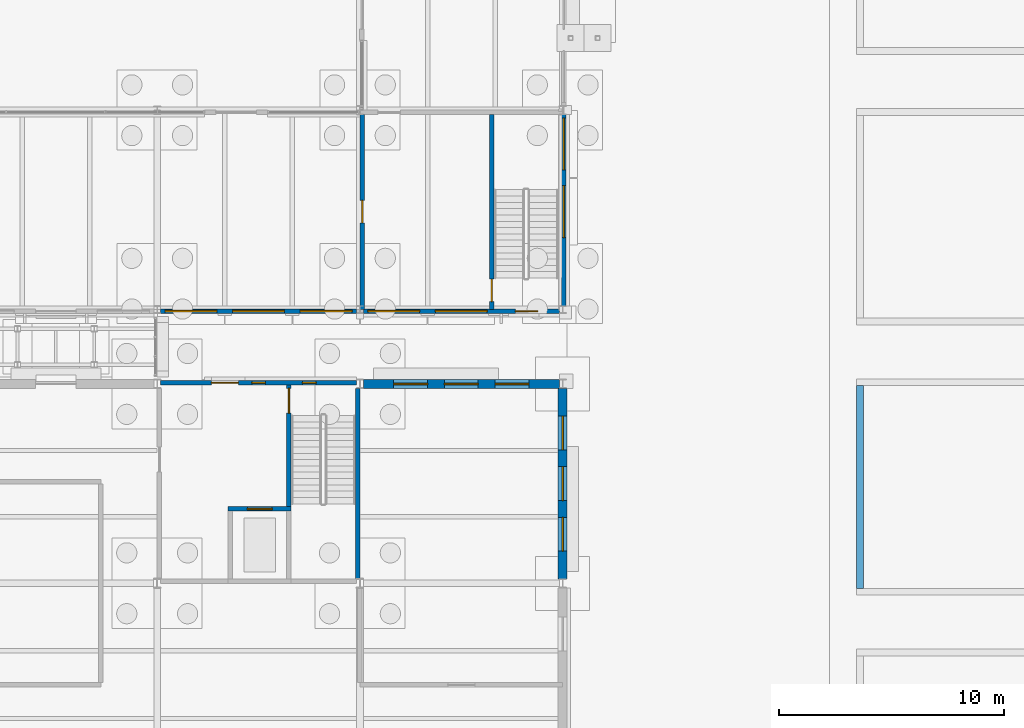
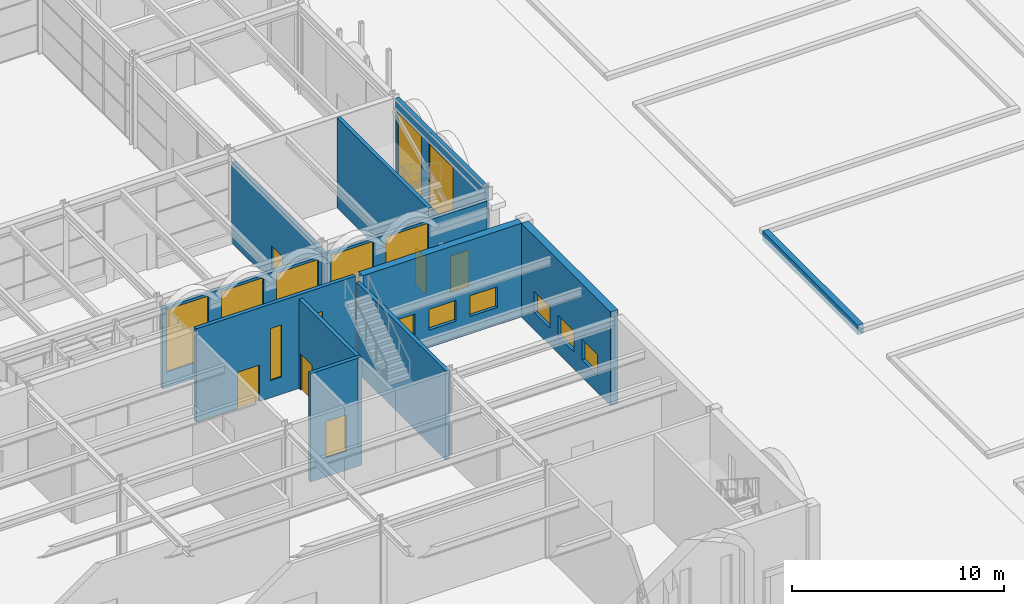
# One storey, part 72 of 126: 15 windows, 12 walls, 6 doors, 21 openings.
"""IFC4 building model written with IfcOpenShell, lengths in metres."""

from ifc_helpers import new_model, si_unit, direction, frame, frame_2d, origin, place, context, subcontext, project, spatial, rectangle, extrude, material, layer, layer_set, type_object, element, fill, save


model = new_model("IFC4")

# Units and contexts
model_context = context("Model", 3, precision=1e-05, world=origin(), true_north=direction((0.0, 1.0)))
body_context = subcontext(model_context, "Body", "Model", "MODEL_VIEW")
ifc_project = project(units=[si_unit("LENGTHUNIT", "METRE"), si_unit("AREAUNIT", "SQUARE_METRE"), si_unit("VOLUMEUNIT", "CUBIC_METRE"), si_unit("PLANEANGLEUNIT", "RADIAN"), si_unit("MASSUNIT", "GRAM", prefix="KILO")], contexts=[model_context])

# Site, building, storey
site_placement = place(None, origin())
site = spatial("IfcSite", under=ifc_project, at=site_placement, CompositionType="ELEMENT")
building_placement = place(site_placement, origin())
building = spatial("IfcBuilding", under=site, at=building_placement, Name="Kallimachos Central Library", CompositionType="ELEMENT")
storey_placement = place(building_placement, origin())
storey = spatial("IfcBuildingStorey", under=building, at=storey_placement, Name="L00", CompositionType="ELEMENT", Elevation=0.0)

# Wall
ifc_material_1 = material(Name="Concrete C30/37", Category="concrete")
ifc_layer_1 = layer(ifc_material_1, 0.199951171875)
ifc_layer_set_1 = layer_set([ifc_layer_1], Name="Core wall 200")
wall_type_1 = type_object("IfcWallType", Name="Core wall 200", PredefinedType="SOLIDWALL", material=ifc_layer_set_1)
wall_1_placement = place(storey_placement, frame((101.39990234375, 36.216064453125, 0.0), z_axis=(0.0, 0.0, 1.0), x_axis=(0.0, 1.0, 0.0)))
element("IfcWall", 1, at=wall_1_placement, inside=storey, type_object=wall_type_1, Name="V5-WAL-L00-035", PredefinedType="SOLIDWALL", context=body_context, shape_type="SweptSolid", body=[
    extrude(rectangle(XDim=8.433837890625, YDim=0.199951171875, at=frame_2d((4.216796875, 0.0))), origin(), (0.0, 0.0, 1.0), 5.14990234375),
])

# Wall, opening, door
wall_2_placement = place(storey_placement, frame((98.35009765625, 39.199951171875, 0.0), z_axis=(0.0, 0.0, 1.0), x_axis=(0.0, 1.0, 0.0)))
wall_2 = element("IfcWall", 2, at=wall_2_placement, inside=storey, type_object=wall_type_1, Name="V5-WAL-L00-036", PredefinedType="SOLIDWALL", context=body_context, shape_type="SweptSolid", body=[
    extrude(rectangle(XDim=5.60009765625, YDim=0.199951171875, at=frame_2d((2.800048828125, 0.0))), origin(), (0.0, 0.0, 1.0), 5.14990234375),
])
opening_1_placement = place(wall_2_placement, frame((4.35009765625, 0.0, 0.0)))
opening_1 = element("IfcOpeningElement", 3, at=opening_1_placement, cuts=wall_2, Name="Opening D84", PredefinedType="OPENING", context=body_context, shape_type="SweptSolid", body=[
    extrude(rectangle(XDim=1.10009765625, YDim=2.10009765625, at=frame_2d((0.550048828125, 1.050048828125))), frame((0.0, 0.10986328125, 0.0), z_axis=(0.0, -1.0, 0.0), x_axis=(1.0, 0.0, 0.0)), (0.0, 0.0, 1.0), 0.219970703125),
])
ifc_material_2 = material(Name="Steel fire door", Category="steel")
door_type_1 = type_object("IfcDoorType", Name="Fire door EI2 90 1100 x 2100", OperationType="NOTDEFINED", PredefinedType="DOOR", material=ifc_material_2)
door_1_placement = place(opening_1_placement, frame((1.10009765625, 0.0, 0.0), z_axis=(0.0, 0.0, 1.0), x_axis=(-1.0, 0.0, 0.0)))
door_1 = element("IfcDoor", 4, at=door_1_placement, inside=storey, type_object=door_type_1, Name="ST14 stair door L00", OperationType="SINGLE_SWING_RIGHT", OverallHeight=2.10009765625, OverallWidth=1.10009765625, PredefinedType="DOOR", context=body_context, shape_type="SweptSolid", body=[
    extrude(rectangle(XDim=1.10009765625, YDim=2.10009765625, at=frame_2d((0.550048828125, 1.050048828125))), frame((0.0, 0.02490234375, 0.0), z_axis=(0.0, -1.0, 0.0), x_axis=(1.0, 0.0, 0.0)), (0.0, 0.0, 1.0), 0.050048828125),
])
fill(opening_1, door_1)

# Wall
ifc_material_3 = material(Name="Granite kerb stone", Category="masonry")
ifc_layer_2 = layer(ifc_material_3, 0.300048828125)
ifc_layer_set_2 = layer_set([ifc_layer_2], Name="Granite kerb 300")
wall_type_2 = type_object("IfcWallType", Name="Granite kerb 300", PredefinedType="SOLIDWALL", material=ifc_layer_set_2)
wall_3_placement = place(storey_placement, frame((123.699951171875, 35.77490234375, -0.300048828125), z_axis=(0.0, 0.0, 1.0), x_axis=(0.0, 1.0, 0.0)))
element("IfcWall", 5, at=wall_3_placement, inside=storey, type_object=wall_type_2, Name="Garden bed kerb west 122-34", PredefinedType="SOLIDWALL", context=body_context, shape_type="SweptSolid", body=[
    extrude(rectangle(XDim=9.0, YDim=0.300048828125, at=frame_2d((4.5, 0.0))), origin(), (0.0, 0.0, 1.0), 0.550048828125),
])

# Wall, opening, door
ifc_material_4 = material(Name="Concrete C30/37", Category="concrete")
ifc_layer_3 = layer(ifc_material_4, 0.199951171875)
ifc_layer_set_3 = layer_set([ifc_layer_3], Name="Lift shaft wall 200")
wall_type_3 = type_object("IfcWallType", Name="Lift shaft wall 200", PredefinedType="SOLIDWALL", material=ifc_layer_set_3)
wall_4_placement = place(storey_placement, frame((95.64990234375, 39.300048828125, -1.10009765625), z_axis=(0.0, 0.0, 1.0), x_axis=(1.0, 0.0, 0.0)))
wall_4 = element("IfcWall", 6, at=wall_4_placement, inside=storey, type_object=wall_type_3, Name="V5-WAL-L00-007", PredefinedType="SOLIDWALL", context=body_context, shape_type="SweptSolid", body=[
    extrude(rectangle(XDim=2.800048828125, YDim=0.199951171875, at=frame_2d((1.39990234375, 0.0))), origin(), (0.0, 0.0, 1.0), 6.25),
])
opening_2_placement = place(wall_4_placement, frame((0.85009765625, 0.0, 1.10009765625)))
opening_2 = element("IfcOpeningElement", 7, at=opening_2_placement, cuts=wall_4, Name="Opening LD1100", PredefinedType="OPENING", context=body_context, shape_type="SweptSolid", body=[
    extrude(rectangle(XDim=1.10009765625, YDim=2.10009765625, at=frame_2d((0.550048828125, 1.050048828125))), frame((0.0, 0.10986328125, 0.0), z_axis=(0.0, -1.0, 0.0), x_axis=(1.0, 0.0, 0.0)), (0.0, 0.0, 1.0), 0.219970703125),
])
ifc_material_5 = material(Name="Stainless steel", Category="steel")
door_type_2 = type_object("IfcDoorType", Name="Lift landing door 1100 x 2100", OperationType="SLIDING_TO_LEFT", PredefinedType="DOOR", material=ifc_material_5)
door_2_placement = place(opening_2_placement, origin())
door_2 = element("IfcDoor", 8, at=door_2_placement, inside=storey, type_object=door_type_2, Name="LF13 landing door L00", OperationType="SLIDING_TO_LEFT", OverallHeight=2.10009765625, OverallWidth=1.10009765625, PredefinedType="DOOR", context=body_context, shape_type="SweptSolid", body=[
    extrude(rectangle(XDim=1.10009765625, YDim=2.10009765625, at=frame_2d((0.550048828125, 1.050048828125))), frame((0.0, 0.02490234375, 0.0), z_axis=(0.0, -1.0, 0.0), x_axis=(1.0, 0.0, 0.0)), (0.0, 0.0, 1.0), 0.050048828125),
])
fill(opening_2, door_2)

ifc_material_6 = material(Name="Concrete C35/45", Category="concrete")
ifc_layer_4 = layer(ifc_material_6, 0.199951171875)
ifc_layer_set_4 = layer_set([ifc_layer_4], Name="Shear core wall 200, internal")
wall_type_4 = type_object("IfcWallType", Name="Shear core wall 200, internal", PredefinedType="SHEAR", material=ifc_layer_set_4)
wall_5_placement = place(storey_placement, frame((101.60009765625, 48.14990234375, 0.0), z_axis=(0.0, 0.0, 1.0), x_axis=(0.0, 1.0, 0.0)))
wall_5 = element("IfcWall", 9, at=wall_5_placement, inside=storey, type_object=wall_type_4, Name="L00 core wall V4-SE E", PredefinedType="SHEAR", context=body_context, shape_type="SweptSolid", body=[
    extrude(rectangle(XDim=8.650146484375, YDim=0.199951171875, at=frame_2d((4.3251953125, 0.0))), origin(), (0.0, 0.0, 1.0), 4.64990234375),
])
opening_3_placement = place(wall_5_placement, frame((3.85009765625, 0.0, 0.0)))
opening_3 = element("IfcOpeningElement", 10, at=opening_3_placement, cuts=wall_5, Name="Opening D179", PredefinedType="OPENING", context=body_context, shape_type="SweptSolid", body=[
    extrude(rectangle(XDim=1.0, YDim=2.10009765625, at=frame_2d((0.5, 1.050048828125))), frame((0.0, 0.10986328125, 0.0), z_axis=(0.0, -1.0, 0.0), x_axis=(1.0, 0.0, 0.0)), (0.0, 0.0, 1.0), 0.219970703125),
])
ifc_material_7 = material(Name="Timber", Category="wood")
door_type_3 = type_object("IfcDoorType", Name="Single leaf door 1000 x 2100, EI2 90", OperationType="NOTDEFINED", PredefinedType="DOOR", material=ifc_material_7)
door_3_placement = place(opening_3_placement, frame((1.0, 0.0, 0.0), z_axis=(0.0, 0.0, 1.0), x_axis=(-1.0, 0.0, 0.0)))
door_3 = element("IfcDoor", 11, at=door_3_placement, inside=storey, type_object=door_type_3, Name="L00 core door V4-SE", OperationType="SINGLE_SWING_LEFT", OverallHeight=2.10009765625, OverallWidth=1.0, PredefinedType="DOOR", context=body_context, shape_type="SweptSolid", body=[
    extrude(rectangle(XDim=1.0, YDim=2.10009765625, at=frame_2d((0.5, 1.050048828125))), frame((0.0, 0.02490234375, 0.0), z_axis=(0.0, -1.0, 0.0), x_axis=(1.0, 0.0, 0.0)), (0.0, 0.0, 1.0), 0.050048828125),
])
fill(opening_3, door_3)

wall_6_placement = place(storey_placement, frame((107.35009765625, 48.14990234375, 0.0), z_axis=(0.0, 0.0, 1.0), x_axis=(0.0, 1.0, 0.0)))
wall_6 = element("IfcWall", 12, at=wall_6_placement, inside=storey, type_object=wall_type_4, Name="L00 core wall V4-SE M", PredefinedType="SHEAR", context=body_context, shape_type="SweptSolid", body=[
    extrude(rectangle(XDim=8.650146484375, YDim=0.199951171875, at=frame_2d((4.3251953125, 0.0))), origin(), (0.0, 0.0, 1.0), 5.199951171875),
])
opening_4_placement = place(wall_6_placement, frame((0.35009765625, 0.0, 0.0)))
opening_4 = element("IfcOpeningElement", 13, at=opening_4_placement, cuts=wall_6, Name="Opening D181", PredefinedType="OPENING", context=body_context, shape_type="SweptSolid", body=[
    extrude(rectangle(XDim=1.0, YDim=2.10009765625, at=frame_2d((0.5, 1.050048828125))), frame((0.0, 0.10986328125, 0.0), z_axis=(0.0, -1.0, 0.0), x_axis=(1.0, 0.0, 0.0)), (0.0, 0.0, 1.0), 0.219970703125),
])
door_4_placement = place(opening_4_placement, frame((1.0, 0.0, 0.0), z_axis=(0.0, 0.0, 1.0), x_axis=(-1.0, 0.0, 0.0)))
door_4 = element("IfcDoor", 14, at=door_4_placement, inside=storey, type_object=door_type_3, Name="L00 core door V4-SE", OperationType="SINGLE_SWING_LEFT", OverallHeight=2.10009765625, OverallWidth=1.0, PredefinedType="DOOR", context=body_context, shape_type="SweptSolid", body=[
    extrude(rectangle(XDim=1.0, YDim=2.10009765625, at=frame_2d((0.5, 1.050048828125))), frame((0.0, 0.02490234375, 0.0), z_axis=(0.0, -1.0, 0.0), x_axis=(1.0, 0.0, 0.0)), (0.0, 0.0, 1.0), 0.050048828125),
])
fill(opening_4, door_4)

# Wall, openings, windows
ifc_material_8 = material(Name="Pentelic marble masonry", Category="masonry")
ifc_layer_5 = layer(ifc_material_8, 0.39990234375)
ifc_layer_set_5 = layer_set([ifc_layer_5], Name="Stone masonry wall 400")
wall_type_5 = type_object("IfcWallType", Name="Stone masonry wall 400", PredefinedType="SOLIDWALL", material=ifc_layer_set_5)
wall_7_placement = place(storey_placement, frame((101.64990234375, 44.85009765625, 0.0), z_axis=(0.0, 0.0, 1.0), x_axis=(1.0, 0.0, 0.0)))
wall_7 = element("IfcWall", 15, at=wall_7_placement, inside=storey, type_object=wall_type_5, Name="V5-WAL-L00-019", PredefinedType="SOLIDWALL", context=body_context, shape_type="SweptSolid", body=[
    extrude(rectangle(XDim=8.7001953125, YDim=0.39990234375, at=frame_2d((4.35009765625, 0.0))), origin(), (0.0, 0.0, 1.0), 5.39990234375),
])
opening_5_placement = place(wall_7_placement, frame((1.35009765625, 0.0, 1.0)))
opening_5 = element("IfcOpeningElement", 16, at=opening_5_placement, cuts=wall_7, Name="Opening WN19", PredefinedType="OPENING", context=body_context, shape_type="SweptSolid", body=[
    extrude(rectangle(XDim=1.5, YDim=1.199951171875, at=frame_2d((0.75, 0.60009765625))), frame((0.0, 0.2099609375, 0.0), z_axis=(0.0, -1.0, 0.0), x_axis=(1.0, 0.0, 0.0)), (0.0, 0.0, 1.0), 0.419921875),
])
opening_6_placement = place(wall_7_placement, frame((3.60009765625, 0.0, 1.0)))
opening_6 = element("IfcOpeningElement", 17, at=opening_6_placement, cuts=wall_7, Name="Opening WN20", PredefinedType="OPENING", context=body_context, shape_type="SweptSolid", body=[
    extrude(rectangle(XDim=1.5, YDim=1.199951171875, at=frame_2d((0.75, 0.60009765625))), frame((0.0, 0.2099609375, 0.0), z_axis=(0.0, -1.0, 0.0), x_axis=(1.0, 0.0, 0.0)), (0.0, 0.0, 1.0), 0.419921875),
])
opening_7_placement = place(wall_7_placement, frame((5.85009765625, 0.0, 1.0)))
opening_7 = element("IfcOpeningElement", 18, at=opening_7_placement, cuts=wall_7, Name="Opening WN21", PredefinedType="OPENING", context=body_context, shape_type="SweptSolid", body=[
    extrude(rectangle(XDim=1.5, YDim=1.199951171875, at=frame_2d((0.75, 0.60009765625))), frame((0.0, 0.2099609375, 0.0), z_axis=(0.0, -1.0, 0.0), x_axis=(1.0, 0.0, 0.0)), (0.0, 0.0, 1.0), 0.419921875),
])
ifc_material_9 = material(Name="Anodised aluminium louvre", Category="aluminium")
window_type_1 = type_object("IfcWindowType", Name="Plant louvre 1500 x 1200", PartitioningType="SINGLE_PANEL", PredefinedType="WINDOW", material=ifc_material_9)
window_1_placement = place(opening_5_placement, origin())
window_1 = element("IfcWindow", 19, at=window_1_placement, inside=storey, type_object=window_type_1, Name="V5-WIN-L00-012", OverallHeight=1.199951171875, OverallWidth=1.5, PartitioningType="SINGLE_PANEL", PredefinedType="WINDOW", context=body_context, shape_type="SweptSolid", body=[
    extrude(rectangle(XDim=1.5, YDim=1.199951171875, at=frame_2d((0.75, 0.60009765625))), frame((0.0, 0.030029296875, 0.0), z_axis=(0.0, -1.0, 0.0), x_axis=(1.0, 0.0, 0.0)), (0.0, 0.0, 1.0), 0.06005859375),
])
fill(opening_5, window_1)
window_2_placement = place(opening_6_placement, origin())
window_2 = element("IfcWindow", 20, at=window_2_placement, inside=storey, type_object=window_type_1, Name="V5-WIN-L00-013", OverallHeight=1.199951171875, OverallWidth=1.5, PartitioningType="SINGLE_PANEL", PredefinedType="WINDOW", context=body_context, shape_type="SweptSolid", body=[
    extrude(rectangle(XDim=1.5, YDim=1.199951171875, at=frame_2d((0.75, 0.60009765625))), frame((0.0, 0.030029296875, 0.0), z_axis=(0.0, -1.0, 0.0), x_axis=(1.0, 0.0, 0.0)), (0.0, 0.0, 1.0), 0.06005859375),
])
fill(opening_6, window_2)
window_3_placement = place(opening_7_placement, origin())
window_3 = element("IfcWindow", 21, at=window_3_placement, inside=storey, type_object=window_type_1, Name="V5-WIN-L00-014", OverallHeight=1.199951171875, OverallWidth=1.5, PartitioningType="SINGLE_PANEL", PredefinedType="WINDOW", context=body_context, shape_type="SweptSolid", body=[
    extrude(rectangle(XDim=1.5, YDim=1.199951171875, at=frame_2d((0.75, 0.60009765625))), frame((0.0, 0.030029296875, 0.0), z_axis=(0.0, -1.0, 0.0), x_axis=(1.0, 0.0, 0.0)), (0.0, 0.0, 1.0), 0.06005859375),
])
fill(opening_7, window_3)

wall_8_placement = place(storey_placement, frame((110.5, 36.199951171875, 0.0), z_axis=(0.0, 0.0, 1.0), x_axis=(0.0, 1.0, 0.0)))
wall_8 = element("IfcWall", 22, at=wall_8_placement, inside=storey, type_object=wall_type_5, Name="V5-WAL-L00-025", PredefinedType="SOLIDWALL", context=body_context, shape_type="SweptSolid", body=[
    extrude(rectangle(XDim=8.449951171875, YDim=0.39990234375, at=frame_2d((4.22509765625, 0.0))), origin(), (0.0, 0.0, 1.0), 5.39990234375),
])
opening_8_placement = place(wall_8_placement, frame((1.22509765625, 0.0, 1.0)))
opening_8 = element("IfcOpeningElement", 23, at=opening_8_placement, cuts=wall_8, Name="Opening WN29", PredefinedType="OPENING", context=body_context, shape_type="SweptSolid", body=[
    extrude(rectangle(XDim=1.5, YDim=1.199951171875, at=frame_2d((0.75, 0.60009765625))), frame((0.0, 0.2099609375, 0.0), z_axis=(0.0, -1.0, 0.0), x_axis=(1.0, 0.0, 0.0)), (0.0, 0.0, 1.0), 0.419921875),
])
opening_9_placement = place(wall_8_placement, frame((3.47509765625, 0.0, 1.0)))
opening_9 = element("IfcOpeningElement", 24, at=opening_9_placement, cuts=wall_8, Name="Opening WN30", PredefinedType="OPENING", context=body_context, shape_type="SweptSolid", body=[
    extrude(rectangle(XDim=1.5, YDim=1.199951171875, at=frame_2d((0.75, 0.60009765625))), frame((0.0, 0.2099609375, 0.0), z_axis=(0.0, -1.0, 0.0), x_axis=(1.0, 0.0, 0.0)), (0.0, 0.0, 1.0), 0.419921875),
])
opening_10_placement = place(wall_8_placement, frame((5.72509765625, 0.0, 1.0)))
opening_10 = element("IfcOpeningElement", 25, at=opening_10_placement, cuts=wall_8, Name="Opening WN31", PredefinedType="OPENING", context=body_context, shape_type="SweptSolid", body=[
    extrude(rectangle(XDim=1.5, YDim=1.199951171875, at=frame_2d((0.75, 0.60009765625))), frame((0.0, 0.2099609375, 0.0), z_axis=(0.0, -1.0, 0.0), x_axis=(1.0, 0.0, 0.0)), (0.0, 0.0, 1.0), 0.419921875),
])
window_4_placement = place(opening_8_placement, origin())
window_4 = element("IfcWindow", 26, at=window_4_placement, inside=storey, type_object=window_type_1, Name="V5-WIN-L00-022", OverallHeight=1.199951171875, OverallWidth=1.5, PartitioningType="SINGLE_PANEL", PredefinedType="WINDOW", context=body_context, shape_type="SweptSolid", body=[
    extrude(rectangle(XDim=1.5, YDim=1.199951171875, at=frame_2d((0.75, 0.60009765625))), frame((0.0, 0.030029296875, 0.0), z_axis=(0.0, -1.0, 0.0), x_axis=(1.0, 0.0, 0.0)), (0.0, 0.0, 1.0), 0.06005859375),
])
fill(opening_8, window_4)
window_5_placement = place(opening_9_placement, origin())
window_5 = element("IfcWindow", 27, at=window_5_placement, inside=storey, type_object=window_type_1, Name="V5-WIN-L00-023", OverallHeight=1.199951171875, OverallWidth=1.5, PartitioningType="SINGLE_PANEL", PredefinedType="WINDOW", context=body_context, shape_type="SweptSolid", body=[
    extrude(rectangle(XDim=1.5, YDim=1.199951171875, at=frame_2d((0.75, 0.60009765625))), frame((0.0, 0.030029296875, 0.0), z_axis=(0.0, -1.0, 0.0), x_axis=(1.0, 0.0, 0.0)), (0.0, 0.0, 1.0), 0.06005859375),
])
fill(opening_9, window_5)
window_6_placement = place(opening_10_placement, origin())
window_6 = element("IfcWindow", 28, at=window_6_placement, inside=storey, type_object=window_type_1, Name="V5-WIN-L00-024", OverallHeight=1.199951171875, OverallWidth=1.5, PartitioningType="SINGLE_PANEL", PredefinedType="WINDOW", context=body_context, shape_type="SweptSolid", body=[
    extrude(rectangle(XDim=1.5, YDim=1.199951171875, at=frame_2d((0.75, 0.60009765625))), frame((0.0, 0.030029296875, 0.0), z_axis=(0.0, -1.0, 0.0), x_axis=(1.0, 0.0, 0.0)), (0.0, 0.0, 1.0), 0.06005859375),
])
fill(opening_10, window_6)

# Wall, openings, door, windows
ifc_material_10 = material(Name="Concrete C30/37", Category="concrete")
ifc_layer_6 = layer(ifc_material_10, 0.199951171875)
ifc_layer_set_6 = layer_set([ifc_layer_6], Name="Stone-clad core wall 200")
wall_type_6 = type_object("IfcWallType", Name="Stone-clad core wall 200", PredefinedType="SOLIDWALL", material=ifc_layer_set_6)
wall_9_placement = place(storey_placement, frame((92.64990234375, 44.89990234375, 0.0), z_axis=(0.0, 0.0, 1.0), x_axis=(1.0, 0.0, 0.0)))
wall_9 = element("IfcWall", 29, at=wall_9_placement, inside=storey, type_object=wall_type_6, Name="V5-WAL-L00-018", PredefinedType="SOLIDWALL", context=body_context, shape_type="SweptSolid", body=[
    extrude(rectangle(XDim=8.7001953125, YDim=0.199951171875, at=frame_2d((4.35009765625, 0.0))), origin(), (0.0, 0.0, 1.0), 5.39990234375),
])
opening_11_placement = place(wall_9_placement, frame((2.25, 0.0, 0.0)))
opening_11 = element("IfcOpeningElement", 30, at=opening_11_placement, cuts=wall_9, Name="Opening D20", PredefinedType="OPENING", context=body_context, shape_type="SweptSolid", body=[
    extrude(rectangle(XDim=1.199951171875, YDim=2.10009765625, at=frame_2d((0.60009765625, 1.050048828125))), frame((0.0, 0.10986328125, 0.0), z_axis=(0.0, -1.0, 0.0), x_axis=(1.0, 0.0, 0.0)), (0.0, 0.0, 1.0), 0.219970703125),
])
opening_12_placement = place(wall_9_placement, frame((4.050048828125, 0.0, 1.0)))
opening_12 = element("IfcOpeningElement", 31, at=opening_12_placement, cuts=wall_9, Name="Opening WN17", PredefinedType="OPENING", context=body_context, shape_type="SweptSolid", body=[
    extrude(rectangle(XDim=0.60009765625, YDim=3.0, at=frame_2d((0.300048828125, 1.5))), frame((0.0, 0.10986328125, 0.0), z_axis=(0.0, -1.0, 0.0), x_axis=(1.0, 0.0, 0.0)), (0.0, 0.0, 1.0), 0.219970703125),
])
opening_13_placement = place(wall_9_placement, frame((6.300048828125, 0.0, 1.0)))
opening_13 = element("IfcOpeningElement", 32, at=opening_13_placement, cuts=wall_9, Name="Opening WN18", PredefinedType="OPENING", context=body_context, shape_type="SweptSolid", body=[
    extrude(rectangle(XDim=0.60009765625, YDim=3.0, at=frame_2d((0.300048828125, 1.5))), frame((0.0, 0.10986328125, 0.0), z_axis=(0.0, -1.0, 0.0), x_axis=(1.0, 0.0, 0.0)), (0.0, 0.0, 1.0), 0.219970703125),
])
ifc_material_11 = material(Name="Steel fire door", Category="steel")
door_type_4 = type_object("IfcDoorType", Name="Fire door EI2 90 1200 x 2100", OperationType="DOUBLE_DOOR_SINGLE_SWING", PredefinedType="DOOR", material=ifc_material_11)
door_5_placement = place(opening_11_placement, origin())
door_5 = element("IfcDoor", 33, at=door_5_placement, inside=storey, type_object=door_type_4, Name="Exit Door NE stair", OperationType="DOUBLE_DOOR_SINGLE_SWING", OverallHeight=2.10009765625, OverallWidth=1.199951171875, PredefinedType="DOOR", context=body_context, shape_type="SweptSolid", body=[
    extrude(rectangle(XDim=1.199951171875, YDim=2.10009765625, at=frame_2d((0.60009765625, 1.050048828125))), frame((0.0, 0.02490234375, 0.0), z_axis=(0.0, -1.0, 0.0), x_axis=(1.0, 0.0, 0.0)), (0.0, 0.0, 1.0), 0.050048828125),
])
fill(opening_11, door_5)
ifc_material_12 = material(Name="Anodised aluminium and laminated glass", Category="aluminium")
window_type_2 = type_object("IfcWindowType", Name="Tall slot window 600 x 3000", PartitioningType="SINGLE_PANEL", PredefinedType="WINDOW", material=ifc_material_12)
window_7_placement = place(opening_12_placement, origin())
window_7 = element("IfcWindow", 34, at=window_7_placement, inside=storey, type_object=window_type_2, Name="V5-WIN-L00-010", OverallHeight=3.0, OverallWidth=0.60009765625, PartitioningType="SINGLE_PANEL", PredefinedType="WINDOW", context=body_context, shape_type="SweptSolid", body=[
    extrude(rectangle(XDim=0.60009765625, YDim=3.0, at=frame_2d((0.300048828125, 1.5))), frame((0.0, 0.030029296875, 0.0), z_axis=(0.0, -1.0, 0.0), x_axis=(1.0, 0.0, 0.0)), (0.0, 0.0, 1.0), 0.06005859375),
])
fill(opening_12, window_7)
window_8_placement = place(opening_13_placement, origin())
window_8 = element("IfcWindow", 35, at=window_8_placement, inside=storey, type_object=window_type_2, Name="V5-WIN-L00-011", OverallHeight=3.0, OverallWidth=0.60009765625, PartitioningType="SINGLE_PANEL", PredefinedType="WINDOW", context=body_context, shape_type="SweptSolid", body=[
    extrude(rectangle(XDim=0.60009765625, YDim=3.0, at=frame_2d((0.300048828125, 1.5))), frame((0.0, 0.030029296875, 0.0), z_axis=(0.0, -1.0, 0.0), x_axis=(1.0, 0.0, 0.0)), (0.0, 0.0, 1.0), 0.06005859375),
])
fill(opening_13, window_8)

# Wall, openings, windows
ifc_material_13 = material(Name="Brick masonry with Pentelic marble cladding", Category="masonry")
ifc_layer_7 = layer(ifc_material_13, 0.199951171875)
ifc_layer_set_7 = layer_set([ifc_layer_7], Name="Stone-clad masonry wall 200")
wall_type_7 = type_object("IfcWallType", Name="Stone-clad masonry wall 200", PredefinedType="SOLIDWALL", material=ifc_layer_set_7)
wall_10_placement = place(storey_placement, frame((92.64990234375, 48.080078125, 0.0), z_axis=(0.0, 0.0, 1.0), x_axis=(1.0, 0.0, 0.0)))
wall_10 = element("IfcWall", 36, at=wall_10_placement, inside=storey, type_object=wall_type_7, Name="V4-WAL-L00-018", PredefinedType="SOLIDWALL", context=body_context, shape_type="SweptSolid", body=[
    extrude(rectangle(XDim=8.7001953125, YDim=0.199951171875, at=frame_2d((4.35009765625, 0.0))), origin(), (0.0, 0.0, 1.0), 4.64990234375),
])
opening_14_placement = place(wall_10_placement, frame((0.199951171875, 0.0, 0.89990234375)))
opening_14 = element("IfcOpeningElement", 37, at=opening_14_placement, cuts=wall_10, Name="Opening WN160", PredefinedType="OPENING", context=body_context, shape_type="SweptSolid", body=[
    extrude(rectangle(XDim=2.300048828125, YDim=3.60009765625, at=frame_2d((1.14990234375, 1.800048828125))), frame((0.0, 0.10986328125, 0.0), z_axis=(0.0, -1.0, 0.0), x_axis=(1.0, 0.0, 0.0)), (0.0, 0.0, 1.0), 0.219970703125),
])
opening_15_placement = place(wall_10_placement, frame((3.199951171875, 0.0, 0.89990234375)))
opening_15 = element("IfcOpeningElement", 38, at=opening_15_placement, cuts=wall_10, Name="Opening WN160", PredefinedType="OPENING", context=body_context, shape_type="SweptSolid", body=[
    extrude(rectangle(XDim=2.300048828125, YDim=3.60009765625, at=frame_2d((1.14990234375, 1.800048828125))), frame((0.0, 0.10986328125, 0.0), z_axis=(0.0, -1.0, 0.0), x_axis=(1.0, 0.0, 0.0)), (0.0, 0.0, 1.0), 0.219970703125),
])
opening_16_placement = place(wall_10_placement, frame((6.199951171875, 0.0, 0.89990234375)))
opening_16 = element("IfcOpeningElement", 39, at=opening_16_placement, cuts=wall_10, Name="Opening WN160", PredefinedType="OPENING", context=body_context, shape_type="SweptSolid", body=[
    extrude(rectangle(XDim=2.300048828125, YDim=3.60009765625, at=frame_2d((1.14990234375, 1.800048828125))), frame((0.0, 0.10986328125, 0.0), z_axis=(0.0, -1.0, 0.0), x_axis=(1.0, 0.0, 0.0)), (0.0, 0.0, 1.0), 0.219970703125),
])
ifc_material_14 = material(Name="Anodised aluminium and laminated glass", Category="aluminium")
window_type_3 = type_object("IfcWindowType", Name="Window 2300 x 3600", PartitioningType="DOUBLE_PANEL_VERTICAL", PredefinedType="WINDOW", material=ifc_material_14)
window_9_placement = place(opening_14_placement, origin())
window_9 = element("IfcWindow", 40, at=window_9_placement, inside=storey, type_object=window_type_3, Name="V4-WIN-L00-008", OverallHeight=3.60009765625, OverallWidth=2.300048828125, PartitioningType="SINGLE_PANEL", PredefinedType="WINDOW", context=body_context, shape_type="SweptSolid", body=[
    extrude(rectangle(XDim=2.300048828125, YDim=3.60009765625, at=frame_2d((1.14990234375, 1.800048828125))), frame((0.0, 0.030029296875, 0.0), z_axis=(0.0, -1.0, 0.0), x_axis=(1.0, 0.0, 0.0)), (0.0, 0.0, 1.0), 0.06005859375),
])
fill(opening_14, window_9)
window_10_placement = place(opening_15_placement, origin())
window_10 = element("IfcWindow", 41, at=window_10_placement, inside=storey, type_object=window_type_3, Name="V4-WIN-L00-009", OverallHeight=3.60009765625, OverallWidth=2.300048828125, PartitioningType="SINGLE_PANEL", PredefinedType="WINDOW", context=body_context, shape_type="SweptSolid", body=[
    extrude(rectangle(XDim=2.300048828125, YDim=3.60009765625, at=frame_2d((1.14990234375, 1.800048828125))), frame((0.0, 0.030029296875, 0.0), z_axis=(0.0, -1.0, 0.0), x_axis=(1.0, 0.0, 0.0)), (0.0, 0.0, 1.0), 0.06005859375),
])
fill(opening_15, window_10)
window_11_placement = place(opening_16_placement, origin())
window_11 = element("IfcWindow", 42, at=window_11_placement, inside=storey, type_object=window_type_3, Name="V4-WIN-L00-010", OverallHeight=3.60009765625, OverallWidth=2.300048828125, PartitioningType="SINGLE_PANEL", PredefinedType="WINDOW", context=body_context, shape_type="SweptSolid", body=[
    extrude(rectangle(XDim=2.300048828125, YDim=3.60009765625, at=frame_2d((1.14990234375, 1.800048828125))), frame((0.0, 0.030029296875, 0.0), z_axis=(0.0, -1.0, 0.0), x_axis=(1.0, 0.0, 0.0)), (0.0, 0.0, 1.0), 0.06005859375),
])
fill(opening_16, window_11)

# Wall, openings, door, windows
ifc_material_15 = material(Name="Brick masonry with Pentelic marble cladding", Category="masonry")
ifc_layer_8 = layer(ifc_material_15, 0.199951171875)
ifc_layer_set_8 = layer_set([ifc_layer_8], Name="Stone-clad masonry wall 200, EI 120")
wall_type_8 = type_object("IfcWallType", Name="Stone-clad masonry wall 200, EI 120", PredefinedType="SOLIDWALL", material=ifc_layer_set_8)
wall_11_placement = place(storey_placement, frame((101.64990234375, 48.080078125, 0.0), z_axis=(0.0, 0.0, 1.0), x_axis=(1.0, 0.0, 0.0)))
wall_11 = element("IfcWall", 43, at=wall_11_placement, inside=storey, type_object=wall_type_8, Name="V4-WAL-L00-019", PredefinedType="SOLIDWALL", context=body_context, shape_type="SweptSolid", body=[
    extrude(rectangle(XDim=8.7001953125, YDim=0.199951171875, at=frame_2d((4.35009765625, 0.0))), origin(), (0.0, 0.0, 1.0), 4.64990234375),
])
opening_17_placement = place(wall_11_placement, frame((6.75, 0.0, 0.0)))
opening_17 = element("IfcOpeningElement", 44, at=opening_17_placement, cuts=wall_11, Name="Opening D27", PredefinedType="OPENING", context=body_context, shape_type="SweptSolid", body=[
    extrude(rectangle(XDim=1.0, YDim=2.10009765625, at=frame_2d((0.5, 1.050048828125))), frame((0.0, 0.10986328125, 0.0), z_axis=(0.0, -1.0, 0.0), x_axis=(1.0, 0.0, 0.0)), (0.0, 0.0, 1.0), 0.219970703125),
])
opening_18_placement = place(wall_11_placement, frame((0.199951171875, 0.0, 0.89990234375)))
opening_18 = element("IfcOpeningElement", 45, at=opening_18_placement, cuts=wall_11, Name="Opening WN267", PredefinedType="OPENING", context=body_context, shape_type="SweptSolid", body=[
    extrude(rectangle(XDim=2.300048828125, YDim=3.60009765625, at=frame_2d((1.14990234375, 1.800048828125))), frame((0.0, 0.10986328125, 0.0), z_axis=(0.0, -1.0, 0.0), x_axis=(1.0, 0.0, 0.0)), (0.0, 0.0, 1.0), 0.219970703125),
])
opening_19_placement = place(wall_11_placement, frame((3.199951171875, 0.0, 0.89990234375)))
opening_19 = element("IfcOpeningElement", 46, at=opening_19_placement, cuts=wall_11, Name="Opening WN267", PredefinedType="OPENING", context=body_context, shape_type="SweptSolid", body=[
    extrude(rectangle(XDim=2.300048828125, YDim=3.60009765625, at=frame_2d((1.14990234375, 1.800048828125))), frame((0.0, 0.10986328125, 0.0), z_axis=(0.0, -1.0, 0.0), x_axis=(1.0, 0.0, 0.0)), (0.0, 0.0, 1.0), 0.219970703125),
])
ifc_material_16 = material(Name="Timber", Category="wood")
door_type_5 = type_object("IfcDoorType", Name="Single leaf door 1000 x 2100", OperationType="NOTDEFINED", PredefinedType="DOOR", material=ifc_material_16)
door_6_placement = place(opening_17_placement, frame((1.0, 0.0, 0.0), z_axis=(0.0, 0.0, 1.0), x_axis=(-1.0, 0.0, 0.0)))
door_6 = element("IfcDoor", 47, at=door_6_placement, inside=storey, type_object=door_type_5, Name="Exit Door", OperationType="SINGLE_SWING_RIGHT", OverallHeight=2.10009765625, OverallWidth=1.0, PredefinedType="DOOR", context=body_context, shape_type="SweptSolid", body=[
    extrude(rectangle(XDim=1.0, YDim=2.10009765625, at=frame_2d((0.5, 1.050048828125))), frame((0.0, 0.02490234375, 0.0), z_axis=(0.0, -1.0, 0.0), x_axis=(1.0, 0.0, 0.0)), (0.0, 0.0, 1.0), 0.050048828125),
])
fill(opening_17, door_6)
ifc_material_17 = material(Name="Anodised aluminium and laminated glass", Category="aluminium")
window_type_4 = type_object("IfcWindowType", Name="Window 2300 x 3600, EI 120", PartitioningType="DOUBLE_PANEL_VERTICAL", PredefinedType="WINDOW", material=ifc_material_17)
window_12_placement = place(opening_18_placement, origin())
window_12 = element("IfcWindow", 48, at=window_12_placement, inside=storey, type_object=window_type_4, Name="V4-WIN-L00-011", OverallHeight=3.60009765625, OverallWidth=2.300048828125, PartitioningType="SINGLE_PANEL", PredefinedType="WINDOW", context=body_context, shape_type="SweptSolid", body=[
    extrude(rectangle(XDim=2.300048828125, YDim=3.60009765625, at=frame_2d((1.14990234375, 1.800048828125))), frame((0.0, 0.030029296875, 0.0), z_axis=(0.0, -1.0, 0.0), x_axis=(1.0, 0.0, 0.0)), (0.0, 0.0, 1.0), 0.06005859375),
])
fill(opening_18, window_12)
window_13_placement = place(opening_19_placement, origin())
window_13 = element("IfcWindow", 49, at=window_13_placement, inside=storey, type_object=window_type_4, Name="V4-WIN-L00-012", OverallHeight=3.60009765625, OverallWidth=2.300048828125, PartitioningType="SINGLE_PANEL", PredefinedType="WINDOW", context=body_context, shape_type="SweptSolid", body=[
    extrude(rectangle(XDim=2.300048828125, YDim=3.60009765625, at=frame_2d((1.14990234375, 1.800048828125))), frame((0.0, 0.030029296875, 0.0), z_axis=(0.0, -1.0, 0.0), x_axis=(1.0, 0.0, 0.0)), (0.0, 0.0, 1.0), 0.06005859375),
])
fill(opening_19, window_13)

# Wall, openings, windows
ifc_material_18 = material(Name="Brick masonry with Pentelic marble cladding", Category="masonry")
ifc_layer_9 = layer(ifc_material_18, 0.199951171875)
ifc_layer_set_9 = layer_set([ifc_layer_9], Name="Stone-clad masonry wall 200, load-bearing, EI 120")
wall_type_9 = type_object("IfcWallType", Name="Stone-clad masonry wall 200, load-bearing, EI 120", PredefinedType="SOLIDWALL", material=ifc_layer_set_9)
wall_12_placement = place(storey_placement, frame((110.550048828125, 48.320068359375, 0.0), z_axis=(0.0, 0.0, 1.0), x_axis=(0.0, 1.0, 0.0)))
wall_12 = element("IfcWall", 50, at=wall_12_placement, inside=storey, type_object=wall_type_9, Name="V4-WAL-L00-029", PredefinedType="SOLIDWALL", context=body_context, shape_type="SweptSolid", body=[
    extrude(rectangle(XDim=8.47998046875, YDim=0.199951171875, at=frame_2d((4.239990234375, 0.0))), origin(), (0.0, 0.0, 1.0), 5.199951171875),
])
opening_20_placement = place(wall_12_placement, frame((3.030029296875, 0.0, 0.89990234375)))
opening_20 = element("IfcOpeningElement", 51, at=opening_20_placement, cuts=wall_12, Name="Opening WN267", PredefinedType="OPENING", context=body_context, shape_type="SweptSolid", body=[
    extrude(rectangle(XDim=2.300048828125, YDim=3.60009765625, at=frame_2d((1.14990234375, 1.800048828125))), frame((0.0, 0.10986328125, 0.0), z_axis=(0.0, -1.0, 0.0), x_axis=(1.0, 0.0, 0.0)), (0.0, 0.0, 1.0), 0.219970703125),
])
opening_21_placement = place(wall_12_placement, frame((6.030029296875, 0.0, 0.89990234375)))
opening_21 = element("IfcOpeningElement", 52, at=opening_21_placement, cuts=wall_12, Name="Opening WN267", PredefinedType="OPENING", context=body_context, shape_type="SweptSolid", body=[
    extrude(rectangle(XDim=2.300048828125, YDim=3.60009765625, at=frame_2d((1.14990234375, 1.800048828125))), frame((0.0, 0.10986328125, 0.0), z_axis=(0.0, -1.0, 0.0), x_axis=(1.0, 0.0, 0.0)), (0.0, 0.0, 1.0), 0.219970703125),
])
window_14_placement = place(opening_20_placement, origin())
window_14 = element("IfcWindow", 53, at=window_14_placement, inside=storey, type_object=window_type_4, Name="V4-WIN-L00-036", OverallHeight=3.60009765625, OverallWidth=2.300048828125, PartitioningType="SINGLE_PANEL", PredefinedType="WINDOW", context=body_context, shape_type="SweptSolid", body=[
    extrude(rectangle(XDim=2.300048828125, YDim=3.60009765625, at=frame_2d((1.14990234375, 1.800048828125))), frame((0.0, 0.030029296875, 0.0), z_axis=(0.0, -1.0, 0.0), x_axis=(1.0, 0.0, 0.0)), (0.0, 0.0, 1.0), 0.06005859375),
])
fill(opening_20, window_14)
window_15_placement = place(opening_21_placement, origin())
window_15 = element("IfcWindow", 54, at=window_15_placement, inside=storey, type_object=window_type_4, Name="V4-WIN-L00-037", OverallHeight=3.60009765625, OverallWidth=2.300048828125, PartitioningType="SINGLE_PANEL", PredefinedType="WINDOW", context=body_context, shape_type="SweptSolid", body=[
    extrude(rectangle(XDim=2.300048828125, YDim=3.60009765625, at=frame_2d((1.14990234375, 1.800048828125))), frame((0.0, 0.030029296875, 0.0), z_axis=(0.0, -1.0, 0.0), x_axis=(1.0, 0.0, 0.0)), (0.0, 0.0, 1.0), 0.06005859375),
])
fill(opening_21, window_15)

save(model, "model.ifc")
